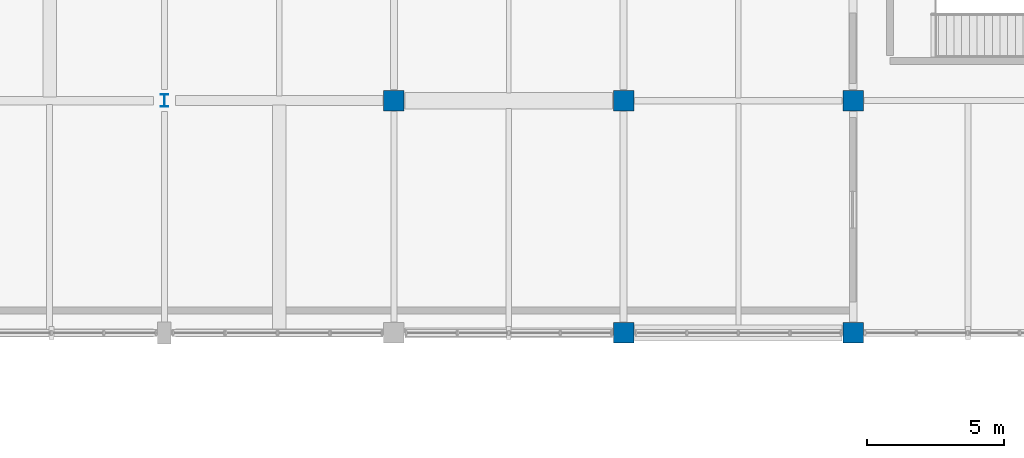
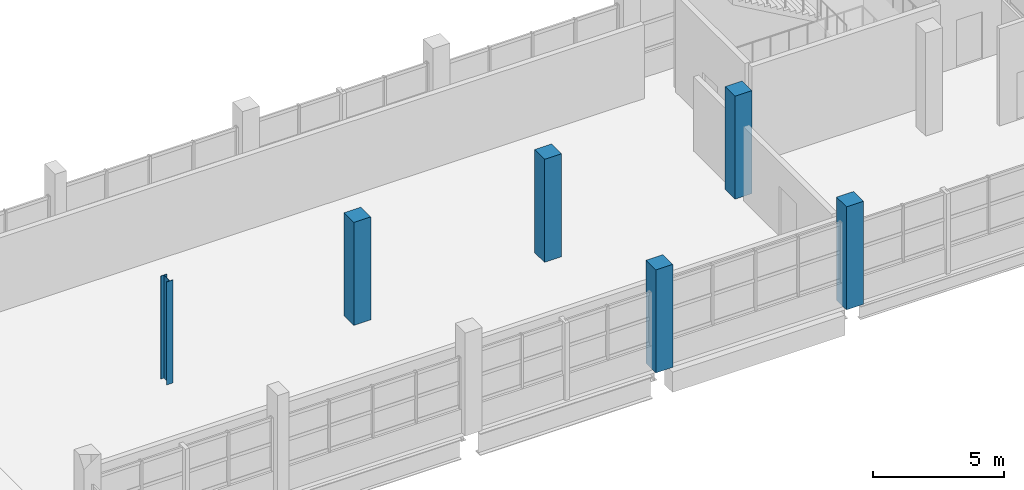
# One storey, part 3 of 117: 6 columns.
"""IFC4 building model written with IfcOpenShell, lengths in metres."""

from ifc_helpers import new_model, si_unit, direction, frame, origin, origin_2d, place, context, subcontext, project, spatial, rectangle, i_section, extrude, material, material_profile, profile_set, type_object, element, save


model = new_model("IFC4")

# Units and contexts
model_context = context("Model", 3, precision=1e-05, world=origin(), true_north=direction((0.0, 1.0)))
body_context = subcontext(model_context, "Body", "Model", "MODEL_VIEW")
ifc_project = project(units=[si_unit("LENGTHUNIT", "METRE"), si_unit("AREAUNIT", "SQUARE_METRE"), si_unit("VOLUMEUNIT", "CUBIC_METRE"), si_unit("PLANEANGLEUNIT", "RADIAN"), si_unit("MASSUNIT", "GRAM", prefix="KILO")], contexts=[model_context])

# Site, building, storey
site_placement = place(None, origin())
site = spatial("IfcSite", under=ifc_project, at=site_placement, CompositionType="ELEMENT")
building_placement = place(site_placement, origin())
building = spatial("IfcBuilding", under=site, at=building_placement, Name="Solvento Point Concert Hall", CompositionType="ELEMENT")
storey_placement = place(building_placement, frame((0.0, 0.0, 5.39990234375)))
storey = spatial("IfcBuildingStorey", under=building, at=storey_placement, Name="L01", CompositionType="ELEMENT", Elevation=5.39990234375)

# Columns
ifc_material_1 = material(Name="Concrete C40/50", Category="concrete")
ifc_material_profile_1 = material_profile(ifc_material_1, rectangle(XDim=0.75, YDim=0.75, at=origin_2d()), Name="RC-COL-750X750")
ifc_profile_set_1 = profile_set([ifc_material_profile_1], Name="Concrete C40/50")
column_type_1 = type_object("IfcColumnType", Name="Col_RC_750", PredefinedType="COLUMN", material=ifc_profile_set_1)
for number, where, z_axis, x_axis, name in (
    (1, (40.800048828125, 127.5, 0.0), (0.0, 0.0, 1.0), (1.0, 0.0, 0.0), "Column C-29 06/R L01"),
    (2, (49.199951171875, 119.0, 0.0), (0.0, 0.0, 1.0), (1.0, 0.0, 0.0), "Column C-29 07/Q L01"),
    (3, (49.199951171875, 127.5, 0.0), (0.0, 0.0, 1.0), (1.0, 0.0, 0.0), "Column C-29 07/R L01"),
    (4, (57.60009765625, 119.0, 0.0), (0.0, 0.0, 1.0), (1.0, 0.0, 0.0), "Column C-29 08/Q L01"),
    (5, (57.60009765625, 127.5, 0.0), (0.0, 0.0, 1.0), (1.0, 0.0, 0.0), "Column C-29 08/R L01"),
):
    element("IfcColumn", number, at=place(storey_placement, frame(where, z_axis=z_axis, x_axis=x_axis)), inside=storey, type_object=column_type_1, Name=name, PredefinedType="COLUMN", context=body_context, shape_type="SweptSolid", body=[
        extrude(rectangle(XDim=0.75, YDim=0.75, at=origin_2d()), origin(), (0.0, 0.0, 1.0), 4.800048828125),
    ])
ifc_material_2 = material(Name="Structural Steel ASTM A992 Grade 50", Category="steel")
ifc_material_profile_2 = material_profile(ifc_material_2, i_section(OverallWidth=0.279541015625, OverallDepth=0.462890625, WebThickness=0.0107421875, FlangeThickness=0.017333984375, at=origin_2d()), Name="W18X76")
ifc_profile_set_2 = profile_set([ifc_material_profile_2], Name="Structural Steel ASTM A992 Grade 50")
column_type_2 = type_object("IfcColumnType", Name="Pilaster_Steel_W18X76", PredefinedType="PILASTER", material=ifc_profile_set_2)
column_placement = place(storey_placement, frame((32.39990234375, 127.5, 0.0), z_axis=(0.0, 0.0, 1.0), x_axis=(1.0, 0.0, 0.0)))
element("IfcColumn", 6, at=column_placement, inside=storey, type_object=column_type_2, Name="Column C-80 05/R L01", PredefinedType="PILASTER", context=body_context, shape_type="SweptSolid", body=[
    extrude(i_section(OverallWidth=0.279541015625, OverallDepth=0.462890625, WebThickness=0.0107421875, FlangeThickness=0.017333984375, at=origin_2d()), origin(), (0.0, 0.0, 1.0), 4.800048828125),
])

save(model, "model.ifc")
